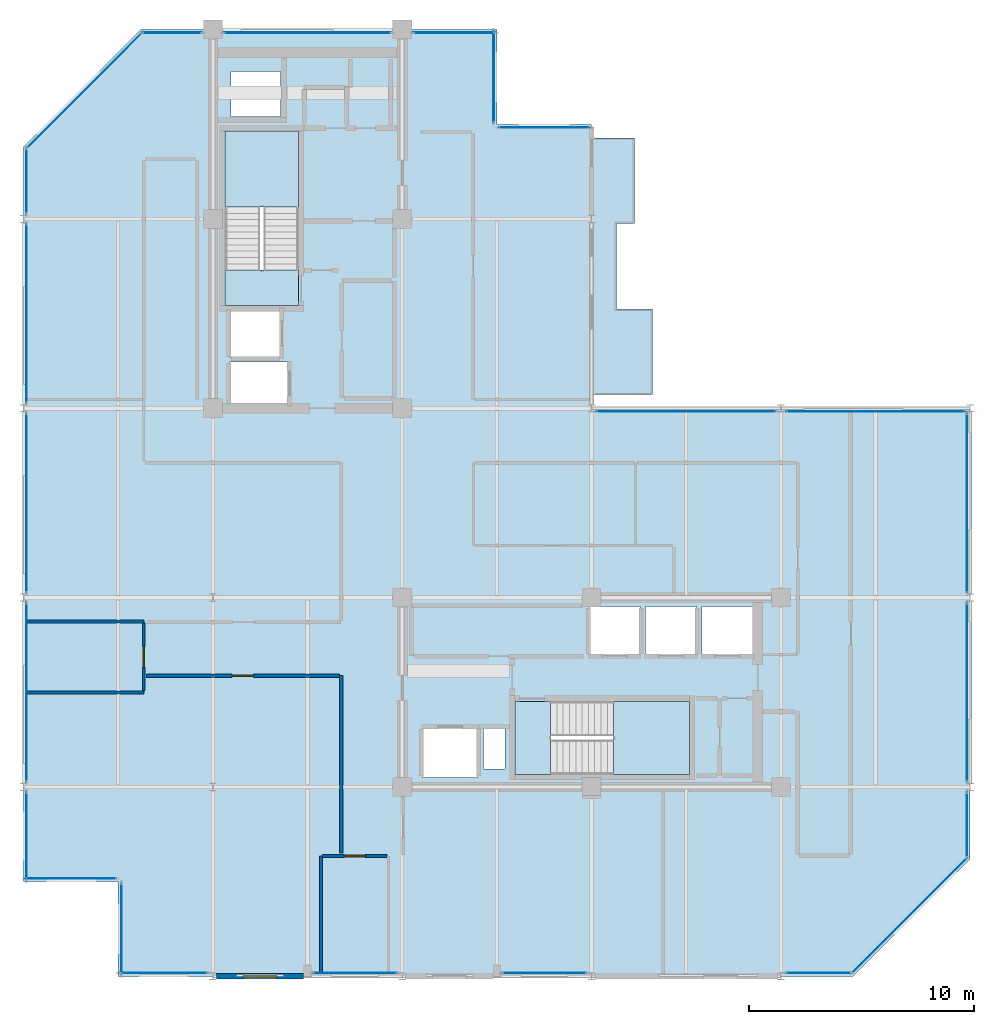
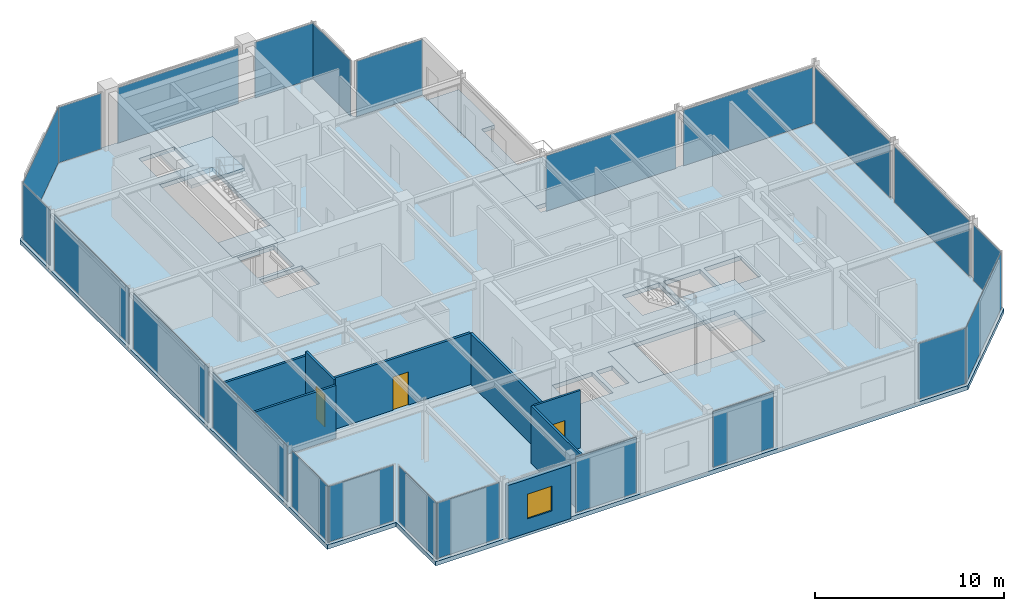
# One storey, part 20 of 26: 23 plates, 8 walls, 6 slabs, 3 doors, 1 window, 4 openings, 25 elements without a shape of their own.
"""IFC4 building model written with IfcOpenShell, lengths in metres."""

import ifcopenshell
import ifcopenshell.guid

model = None  # the IFC model being written
_history = None  # IfcOwnerHistory: only IFC2X3 demands one
_inside = {}  # id of a spatial element -> (the spatial element, [elements in it])
_under = {}  # id of a project, library or spatial element -> (it, [spatial elements below it])
_declared = {}  # id of a project -> (the project, [libraries it declares])
_typed = {}  # id of a type object -> (the type object, [elements of that type])
_made_of = {}  # id of a material, layer set ... -> (it, [elements and type objects made of it])


def new_model(schema):
    """Start an empty IFC model of exactly this schema.

    Asked for "IFC4X3", IfcOpenShell would pick the latest addendum, in which some entities
    have other attributes; the version numbers below select the first issue.
    IFC2X3 requires an IfcOwnerHistory on every rooted entity: one is made here for all.
    """
    global model, _history
    if schema == "IFC4X3":
        model = ifcopenshell.file(schema_version=(4, 3, 0, 0))
    else:
        model = ifcopenshell.file(schema=schema)
    _inside.clear()
    _under.clear()
    _declared.clear()
    _typed.clear()
    _made_of.clear()
    _history = None
    if model.schema == "IFC2X3":
        org = make("IfcOrganization", Name="unknown")
        user = make(
            "IfcPersonAndOrganization",
            ThePerson=make("IfcPerson", FamilyName="unknown"),
            TheOrganization=org,
        )
        app = make(
            "IfcApplication",
            ApplicationDeveloper=org,
            Version="unknown",
            ApplicationFullName="unknown",
            ApplicationIdentifier="unknown",
        )
        _history = make(
            "IfcOwnerHistory",
            OwningUser=user,
            OwningApplication=app,
            ChangeAction="ADDED",
            CreationDate=0,
        )
    return model


def make(cls, **values):
    """One entity of the class cls with the attributes given. An attribute that is None is left unset."""
    return model.create_entity(
        cls, **{name: value for name, value in values.items() if value is not None}
    )


def rooted(cls, **values):
    """An entity with a GlobalId (a new one), such as an element, a storey or a relation."""
    return make(cls, GlobalId=ifcopenshell.guid.new(), OwnerHistory=_history, **values)


def si_unit(unit_type, name, prefix=None):
    """IfcSIUnit, for example si_unit("LENGTHUNIT", "METRE", prefix="MILLI")."""
    return make("IfcSIUnit", UnitType=unit_type, Prefix=prefix, Name=name)


def assignment(units):
    """IfcUnitAssignment: the units of a project."""
    return None if units is None else make("IfcUnitAssignment", Units=units)


def point(xyz):
    """IfcCartesianPoint."""
    return None if xyz is None else make("IfcCartesianPoint", Coordinates=xyz)


def direction(xyz):
    """IfcDirection."""
    return None if xyz is None else make("IfcDirection", DirectionRatios=xyz)


def frame(location, z_axis=None, x_axis=None):
    """IfcAxis2Placement3D, a coordinate frame: its origin and axes. An axis left out is left unset."""
    return make(
        "IfcAxis2Placement3D",
        Location=point(location),
        Axis=direction(z_axis),
        RefDirection=direction(x_axis),
    )


def frame_2d(location, x_axis=None):
    """IfcAxis2Placement2D, a coordinate frame in the plane: its origin and x axis."""
    return make(
        "IfcAxis2Placement2D", Location=point(location), RefDirection=direction(x_axis)
    )


def origin():
    """The frame at (0, 0, 0) with its axes left unset."""
    return frame((0.0, 0.0, 0.0))


def origin_2d():
    """The frame at (0, 0) in the plane with its x axis left unset."""
    return frame_2d((0.0, 0.0))


def place(relative_to, where):
    """IfcLocalPlacement: puts the frame where relative to a parent placement (None: the world)."""
    return make(
        "IfcLocalPlacement", PlacementRelTo=relative_to, RelativePlacement=where
    )


def context(
    kind, dimensions, precision=None, world=None, true_north=None, identifier=None
):
    """IfcGeometricRepresentationContext, for example the 3D "Model" context."""
    return make(
        "IfcGeometricRepresentationContext",
        ContextIdentifier=identifier,
        ContextType=kind,
        CoordinateSpaceDimension=dimensions,
        Precision=precision,
        WorldCoordinateSystem=world,
        TrueNorth=true_north,
    )


def subcontext(parent, identifier, kind, view, scale=None):
    """IfcGeometricRepresentationSubContext, for example "Body" below "Model"."""
    return make(
        "IfcGeometricRepresentationSubContext",
        ContextIdentifier=identifier,
        ContextType=kind,
        ParentContext=parent,
        TargetScale=scale,
        TargetView=view,
    )


def project(units=None, contexts=None):
    """IfcProject with its units and contexts."""
    return rooted(
        "IfcProject",
        Name="project",
        RepresentationContexts=contexts,
        UnitsInContext=assignment(units),
    )


def spatial(cls, under=None, at=None, **own):
    """A site, building, storey or space (cls), placed at a placement, below another one or the project."""
    s = rooted(cls, ObjectPlacement=at, **own)
    if under is not None:
        _under.setdefault(under.id(), (under, []))[1].append(s)
    return s


def polyline(points):
    """IfcPolyline through the points."""
    return make("IfcPolyline", Points=[point(p) for p in points])


def profile(cls, at=None, kind="AREA", **sizes):
    """A parametric profile (cls). Its sizes go by their IFC names, for example OverallWidth=200.0."""
    return make(cls, ProfileType=kind, Position=at, **sizes)


def rectangle(**sizes):
    """IfcRectangleProfileDef."""
    return profile("IfcRectangleProfileDef", **sizes)


def outline(outer, holes=None, kind="AREA"):
    """IfcArbitraryClosedProfileDef: a profile drawn as a closed curve; with holes, ...WithVoids."""
    if holes is None:
        return make("IfcArbitraryClosedProfileDef", ProfileType=kind, OuterCurve=outer)
    return make(
        "IfcArbitraryProfileDefWithVoids",
        ProfileType=kind,
        OuterCurve=outer,
        InnerCurves=holes,
    )


def extrude(swept, where, along, depth):
    """IfcExtrudedAreaSolid: the profile swept, set in the frame where, extruded along a direction by depth."""
    return make(
        "IfcExtrudedAreaSolid",
        SweptArea=swept,
        Position=where,
        ExtrudedDirection=direction(along),
        Depth=depth,
    )


def shape(context_of_items, identifier, shape_type, items):
    """IfcShapeRepresentation: the items that make up one representation, for example the "Body"."""
    return make(
        "IfcShapeRepresentation",
        ContextOfItems=context_of_items,
        RepresentationIdentifier=identifier,
        RepresentationType=shape_type,
        Items=items,
    )


def material(Name=None, Category=None):
    """IfcMaterial."""
    return make("IfcMaterial", Name=Name, Category=Category)


def layer(
    of_material, thickness, ventilated=None, Name=None, Category=None, Priority=None
):
    """IfcMaterialLayer: one layer of a wall or slab, of a material (None: an air gap)."""
    return make(
        "IfcMaterialLayer",
        Material=of_material,
        LayerThickness=thickness,
        IsVentilated=ventilated,
        Name=Name,
        Category=Category,
        Priority=Priority,
    )


def layer_set(layers, Name=None):
    """IfcMaterialLayerSet."""
    return make("IfcMaterialLayerSet", MaterialLayers=layers, LayerSetName=Name)


def made_of(thing, what):
    """Note that an element or type object is made of a material, layer set ...; save() writes the relation."""
    if what is not None:
        _made_of.setdefault(what.id(), (what, []))[1].append(thing)
    return thing


def type_object(cls, material=None, **own):
    """A type object (cls), such as IfcWallType, which elements share."""
    return made_of(rooted(cls, **own), material)


def element(
    cls,
    number,
    at=None,
    inside=None,
    cuts=None,
    type_object=None,
    material=None,
    context=None,
    identifier="Body",
    shape_type=None,
    held_by="IfcProductDefinitionShape",
    body=None,
    shapes=None,
    **own,
):
    """One element of the class cls, such as IfcWall. Its Tag is "e" and its number.

    at: its placement. inside: the storey or other place that contains it. cuts: it is an
    opening in that element (IfcRelVoidsElement). A single representation is given by context,
    identifier, shape_type and body (its items); several are given by shapes. held_by: the class
    of the entity that holds the representations. save() writes the other relations.
    """
    e = rooted(cls, Tag="e%d" % number, ObjectPlacement=at, **own)
    if body is not None:
        shapes = [shape(context, identifier, shape_type, body)]
    if shapes is not None:
        e.Representation = make(held_by, Representations=shapes)
    if inside is not None:
        _inside.setdefault(inside.id(), (inside, []))[1].append(e)
    if cuts is not None:
        rooted(
            "IfcRelVoidsElement", RelatingBuildingElement=cuts, RelatedOpeningElement=e
        )
    if type_object is not None:
        _typed.setdefault(type_object.id(), (type_object, []))[1].append(e)
    return made_of(e, material)


def fill(opening, filler):
    """IfcRelFillsElement: the door or window that sits in an opening."""
    return rooted(
        "IfcRelFillsElement",
        RelatingOpeningElement=opening,
        RelatedBuildingElement=filler,
    )


def aggregate(whole, parts):
    """IfcRelAggregates: a whole, such as a stair, and the parts it consists of."""
    return rooted("IfcRelAggregates", RelatingObject=whole, RelatedObjects=parts)


def save(model, path):
    """Write the relations noted so far, then the file.

    IfcRelAggregates (storeys below a building ...), IfcRelContainedInSpatialStructure (elements
    in a storey), IfcRelDefinesByType, IfcRelAssociatesMaterial and IfcRelDeclares: one each for
    every whole, place, type object, material and project.
    """
    for whole, parts in _under.values():
        aggregate(whole, parts)
    for where, things in _inside.values():
        rooted(
            "IfcRelContainedInSpatialStructure",
            RelatedElements=things,
            RelatingStructure=where,
        )
    for kind, things in _typed.values():
        rooted("IfcRelDefinesByType", RelatedObjects=things, RelatingType=kind)
    for what, things in _made_of.values():
        rooted("IfcRelAssociatesMaterial", RelatedObjects=things, RelatingMaterial=what)
    for by, libraries in _declared.values():
        rooted("IfcRelDeclares", RelatingContext=by, RelatedDefinitions=libraries)
    model.write(path)


model = new_model("IFC4")

# Units and contexts
model_context = context("Model", 3, precision=1e-05, world=origin(), true_north=direction((0.0, 1.0)))
body_context = subcontext(model_context, "Body", "Model", "MODEL_VIEW")
ifc_project = project(units=[si_unit("LENGTHUNIT", "METRE"), si_unit("AREAUNIT", "SQUARE_METRE"), si_unit("VOLUMEUNIT", "CUBIC_METRE"), si_unit("PLANEANGLEUNIT", "RADIAN"), si_unit("MASSUNIT", "GRAM", prefix="KILO")], contexts=[model_context])

# Site, building, storey
site_placement = place(None, origin())
site = spatial("IfcSite", under=ifc_project, at=site_placement, CompositionType="ELEMENT")
building_placement = place(site_placement, origin())
building = spatial("IfcBuilding", under=site, at=building_placement, Name="Nerrivon Quay Data Exchange", CompositionType="ELEMENT")
storey_placement = place(building_placement, frame((0.0, 0.0, 262.199951171875)))
storey = spatial("IfcBuildingStorey", under=building, at=storey_placement, Name="L62", CompositionType="ELEMENT", Elevation=262.199951171875)

# Curtain wall, plate
ifc_material_1 = material(Name="Anodised aluminium 6063-T6", Category="aluminium")
ifc_layer_1 = layer(ifc_material_1, 0.195068359375)
ifc_layer_set_1 = layer_set([ifc_layer_1], Name="Anodised aluminium 6063-T6")
curtain_wall_type = type_object("IfcCurtainWallType", Name="CW-SYS-06", PredefinedType="NOTDEFINED", material=ifc_layer_set_1)
curtain_wall_1_placement = place(storey_placement, origin())
curtain_wall_1 = element("IfcCurtainWall", 1, at=curtain_wall_1_placement, inside=storey, type_object=curtain_wall_type, Name="L62 Unitised Curtain Wall 1", PredefinedType="NOTDEFINED")
ifc_material_2 = material(Name="Double-glazed low-E solar control glass", Category="glass")
ifc_layer_2 = layer(ifc_material_2, 0.028076171875)
ifc_layer_set_2 = layer_set([ifc_layer_2], Name="Double-glazed low-E solar control glass")
plate_type = type_object("IfcPlateType", Name="CWP-GLZ-28", PredefinedType="CURTAIN_PANEL", material=ifc_layer_set_2)
plate_1_placement = place(storey_placement, frame((39.301025390625, 2.698974609375, 0.06494140625), z_axis=(0.0, 0.0, 1.0), x_axis=(-0.707106781187, -0.707106781187, 0.0)))
plate_1 = element("IfcPlate", 2, at=plate_1_placement, type_object=plate_type, Name="CW06 panel 1.1", PredefinedType="CURTAIN_PANEL", context=body_context, shape_type="SweptSolid", body=[
    extrude(rectangle(XDim=7.203857421875, YDim=0.028076171875, at=origin_2d()), origin(), (0.0, 0.0, 1.0), 3.594970703125),
])
aggregate(curtain_wall_1, [plate_1])

curtain_wall_2_placement = place(storey_placement, origin())
curtain_wall_2 = element("IfcCurtainWall", 3, at=curtain_wall_2_placement, inside=storey, type_object=curtain_wall_type, Name="L62 Unitised Curtain Wall 2", PredefinedType="NOTDEFINED")
plate_2_placement = place(storey_placement, frame((35.27783203125, 0.139892578125, 0.06494140625), z_axis=(0.0, 0.0, 1.0), x_axis=(-1.0, 0.0, 0.0)))
plate_2 = element("IfcPlate", 4, at=plate_2_placement, type_object=plate_type, Name="CW06 panel 1.1", PredefinedType="CURTAIN_PANEL", context=body_context, shape_type="SweptSolid", body=[
    extrude(rectangle(XDim=2.89453125, YDim=0.028076171875, at=origin_2d()), origin(), (0.0, 0.0, 1.0), 3.594970703125),
])
aggregate(curtain_wall_2, [plate_2])

curtain_wall_3_placement = place(storey_placement, origin())
curtain_wall_3 = element("IfcCurtainWall", 5, at=curtain_wall_3_placement, inside=storey, type_object=curtain_wall_type, Name="L62 Unitised Curtain Wall 4", PredefinedType="NOTDEFINED")
plate_3_placement = place(storey_placement, frame((23.10986328125, 0.139892578125, 0.06494140625), z_axis=(0.0, 0.0, 1.0), x_axis=(-1.0, 0.0, 0.0)))
plate_3 = element("IfcPlate", 6, at=plate_3_placement, type_object=plate_type, Name="CW06 panel 1.1", PredefinedType="CURTAIN_PANEL", context=body_context, shape_type="SweptSolid", body=[
    extrude(rectangle(XDim=3.719482421875, YDim=0.028076171875, at=origin_2d()), origin(), (0.0, 0.0, 1.0), 3.594970703125),
])
aggregate(curtain_wall_3, [plate_3])

curtain_wall_4_placement = place(storey_placement, origin())
curtain_wall_4 = element("IfcCurtainWall", 7, at=curtain_wall_4_placement, inside=storey, type_object=curtain_wall_type, Name="L62 Unitised Curtain Wall 6", PredefinedType="NOTDEFINED")
plate_4_placement = place(storey_placement, frame((14.709716796875, 0.139892578125, 0.06494140625), z_axis=(0.0, 0.0, 1.0), x_axis=(-1.0, 0.0, 0.0)))
plate_4 = element("IfcPlate", 8, at=plate_4_placement, type_object=plate_type, Name="CW06 panel 1.1", PredefinedType="CURTAIN_PANEL", context=body_context, shape_type="SweptSolid", body=[
    extrude(rectangle(XDim=3.719482421875, YDim=0.028076171875, at=origin_2d()), origin(), (0.0, 0.0, 1.0), 3.594970703125),
])
aggregate(curtain_wall_4, [plate_4])

curtain_wall_5_placement = place(storey_placement, origin())
curtain_wall_5 = element("IfcCurtainWall", 9, at=curtain_wall_5_placement, inside=storey, type_object=curtain_wall_type, Name="L62 Unitised Curtain Wall 8", PredefinedType="NOTDEFINED")
plate_5_placement = place(storey_placement, frame((6.22216796875, 0.139892578125, 0.06494140625), z_axis=(0.0, 0.0, 1.0), x_axis=(-1.0, 0.0, 0.0)))
plate_5 = element("IfcPlate", 10, at=plate_5_placement, type_object=plate_type, Name="CW06 panel 1.1", PredefinedType="CURTAIN_PANEL", context=body_context, shape_type="SweptSolid", body=[
    extrude(rectangle(XDim=3.89453125, YDim=0.028076171875, at=origin_2d()), origin(), (0.0, 0.0, 1.0), 3.594970703125),
])
aggregate(curtain_wall_5, [plate_5])

curtain_wall_6_placement = place(storey_placement, origin())
curtain_wall_6 = element("IfcCurtainWall", 11, at=curtain_wall_6_placement, inside=storey, type_object=curtain_wall_type, Name="L62 Unitised Curtain Wall 9", PredefinedType="NOTDEFINED")
plate_6_placement = place(storey_placement, frame((4.340087890625, 2.10009765625, 0.06494140625), z_axis=(0.0, 0.0, 1.0), x_axis=(0.0, 1.0, 0.0)))
plate_6 = element("IfcPlate", 12, at=plate_6_placement, type_object=plate_type, Name="CW06 panel 1.1", PredefinedType="CURTAIN_PANEL", context=body_context, shape_type="SweptSolid", body=[
    extrude(rectangle(XDim=4.050048828125, YDim=0.028076171875, at=origin_2d()), origin(), (0.0, 0.0, 1.0), 3.594970703125),
])
aggregate(curtain_wall_6, [plate_6])

curtain_wall_7_placement = place(storey_placement, origin())
curtain_wall_7 = element("IfcCurtainWall", 13, at=curtain_wall_7_placement, inside=storey, type_object=curtain_wall_type, Name="L62 Unitised Curtain Wall 10", PredefinedType="NOTDEFINED")
plate_7_placement = place(storey_placement, frame((2.10009765625, 4.340087890625, 0.06494140625), z_axis=(0.0, 0.0, 1.0), x_axis=(-1.0, 0.0, 0.0)))
plate_7 = element("IfcPlate", 14, at=plate_7_placement, type_object=plate_type, Name="CW06 panel 1.1", PredefinedType="CURTAIN_PANEL", context=body_context, shape_type="SweptSolid", body=[
    extrude(rectangle(XDim=4.050048828125, YDim=0.028076171875, at=origin_2d()), origin(), (0.0, 0.0, 1.0), 3.594970703125),
])
aggregate(curtain_wall_7, [plate_7])

curtain_wall_8_placement = place(storey_placement, origin())
curtain_wall_8 = element("IfcCurtainWall", 15, at=curtain_wall_8_placement, inside=storey, type_object=curtain_wall_type, Name="L62 Unitised Curtain Wall 11", PredefinedType="NOTDEFINED")
plate_8_placement = place(storey_placement, frame((0.139892578125, 6.21826171875, 0.06494140625), z_axis=(0.0, 0.0, 1.0), x_axis=(0.0, 1.0, 0.0)))
plate_8 = element("IfcPlate", 16, at=plate_8_placement, type_object=plate_type, Name="CW06 panel 1.1", PredefinedType="CURTAIN_PANEL", context=body_context, shape_type="SweptSolid", body=[
    extrude(rectangle(XDim=3.886474609375, YDim=0.028076171875, at=origin_2d()), origin(), (0.0, 0.0, 1.0), 3.594970703125),
])
aggregate(curtain_wall_8, [plate_8])

curtain_wall_9_placement = place(storey_placement, origin())
curtain_wall_9 = element("IfcCurtainWall", 17, at=curtain_wall_9_placement, inside=storey, type_object=curtain_wall_type, Name="L62 Unitised Curtain Wall 12", PredefinedType="NOTDEFINED")
plate_9_placement = place(storey_placement, frame((0.139892578125, 12.60009765625, 0.06494140625), z_axis=(0.0, 0.0, 1.0), x_axis=(0.0, 1.0, 0.0)))
plate_9 = element("IfcPlate", 18, at=plate_9_placement, type_object=plate_type, Name="CW06 panel 1.1", PredefinedType="CURTAIN_PANEL", context=body_context, shape_type="SweptSolid", body=[
    extrude(rectangle(XDim=7.923095703125, YDim=0.028076171875, at=origin_2d()), origin(), (0.0, 0.0, 1.0), 3.594970703125),
])
aggregate(curtain_wall_9, [plate_9])

curtain_wall_10_placement = place(storey_placement, origin())
curtain_wall_10 = element("IfcCurtainWall", 19, at=curtain_wall_10_placement, inside=storey, type_object=curtain_wall_type, Name="L62 Unitised Curtain Wall 13", PredefinedType="NOTDEFINED")
plate_10_placement = place(storey_placement, frame((0.139892578125, 21.0, 0.06494140625), z_axis=(0.0, 0.0, 1.0), x_axis=(0.0, 1.0, 0.0)))
plate_10 = element("IfcPlate", 20, at=plate_10_placement, type_object=plate_type, Name="CW06 panel 1.1", PredefinedType="CURTAIN_PANEL", context=body_context, shape_type="SweptSolid", body=[
    extrude(rectangle(XDim=7.923095703125, YDim=0.028076171875, at=origin_2d()), origin(), (0.0, 0.0, 1.0), 3.594970703125),
])
aggregate(curtain_wall_10, [plate_10])

curtain_wall_11_placement = place(storey_placement, origin())
curtain_wall_11 = element("IfcCurtainWall", 21, at=curtain_wall_11_placement, inside=storey, type_object=curtain_wall_type, Name="L62 Unitised Curtain Wall 14", PredefinedType="NOTDEFINED")
plate_11_placement = place(storey_placement, frame((0.139892578125, 29.39990234375, 0.06494140625), z_axis=(0.0, 0.0, 1.0), x_axis=(0.0, 1.0, 0.0)))
plate_11 = element("IfcPlate", 22, at=plate_11_placement, type_object=plate_type, Name="CW06 panel 1.1", PredefinedType="CURTAIN_PANEL", context=body_context, shape_type="SweptSolid", body=[
    extrude(rectangle(XDim=7.923095703125, YDim=0.028076171875, at=origin_2d()), origin(), (0.0, 0.0, 1.0), 3.594970703125),
])
aggregate(curtain_wall_11, [plate_11])

curtain_wall_12_placement = place(storey_placement, origin())
curtain_wall_12 = element("IfcCurtainWall", 23, at=curtain_wall_12_placement, inside=storey, type_object=curtain_wall_type, Name="L62 Unitised Curtain Wall 15", PredefinedType="NOTDEFINED")
plate_12_placement = place(storey_placement, frame((0.139892578125, 35.28173828125, 0.06494140625), z_axis=(0.0, 0.0, 1.0), x_axis=(0.0, 1.0, 0.0)))
plate_12 = element("IfcPlate", 24, at=plate_12_placement, type_object=plate_type, Name="CW06 panel 1.1", PredefinedType="CURTAIN_PANEL", context=body_context, shape_type="SweptSolid", body=[
    extrude(rectangle(XDim=2.886474609375, YDim=0.028076171875, at=origin_2d()), origin(), (0.0, 0.0, 1.0), 3.594970703125),
])
aggregate(curtain_wall_12, [plate_12])

curtain_wall_13_placement = place(storey_placement, origin())
curtain_wall_13 = element("IfcCurtainWall", 25, at=curtain_wall_13_placement, inside=storey, type_object=curtain_wall_type, Name="L62 Unitised Curtain Wall 16", PredefinedType="NOTDEFINED")
plate_13_placement = place(storey_placement, frame((2.698974609375, 39.301025390625, 0.06494140625), z_axis=(0.0, 0.0, 1.0), x_axis=(0.707106781187, 0.707106781187, 0.0)))
plate_13 = element("IfcPlate", 26, at=plate_13_placement, type_object=plate_type, Name="CW06 panel 1.1", PredefinedType="CURTAIN_PANEL", context=body_context, shape_type="SweptSolid", body=[
    extrude(rectangle(XDim=7.203857421875, YDim=0.028076171875, at=origin_2d()), origin(), (0.0, 0.0, 1.0), 3.594970703125),
])
aggregate(curtain_wall_13, [plate_13])

curtain_wall_14_placement = place(storey_placement, origin())
curtain_wall_14 = element("IfcCurtainWall", 27, at=curtain_wall_14_placement, inside=storey, type_object=curtain_wall_type, Name="L62 Unitised Curtain Wall 17", PredefinedType="NOTDEFINED")
plate_14_placement = place(storey_placement, frame((6.58740234375, 41.860107421875, 0.06494140625), z_axis=(0.0, 0.0, 1.0), x_axis=(1.0, 0.0, 0.0)))
plate_14 = element("IfcPlate", 28, at=plate_14_placement, type_object=plate_type, Name="CW06 panel 1.1", PredefinedType="CURTAIN_PANEL", context=body_context, shape_type="SweptSolid", body=[
    extrude(rectangle(XDim=2.625, YDim=0.028076171875, at=origin_2d()), origin(), (0.0, 0.0, 1.0), 3.594970703125),
])
aggregate(curtain_wall_14, [plate_14])

curtain_wall_15_placement = place(storey_placement, origin())
curtain_wall_15 = element("IfcCurtainWall", 29, at=curtain_wall_15_placement, inside=storey, type_object=curtain_wall_type, Name="L62 Unitised Curtain Wall 18", PredefinedType="NOTDEFINED")
plate_15_placement = place(storey_placement, frame((12.60009765625, 41.860107421875, 0.06494140625), z_axis=(0.0, 0.0, 1.0), x_axis=(1.0, 0.0, 0.0)))
plate_15 = element("IfcPlate", 30, at=plate_15_placement, type_object=plate_type, Name="CW06 panel 1.1", PredefinedType="CURTAIN_PANEL", context=body_context, shape_type="SweptSolid", body=[
    extrude(rectangle(XDim=7.39990234375, YDim=0.028076171875, at=origin_2d()), origin(), (0.0, 0.0, 1.0), 3.594970703125),
])
aggregate(curtain_wall_15, [plate_15])

curtain_wall_16_placement = place(storey_placement, origin())
curtain_wall_16 = element("IfcCurtainWall", 31, at=curtain_wall_16_placement, inside=storey, type_object=curtain_wall_type, Name="L62 Unitised Curtain Wall 19", PredefinedType="NOTDEFINED")
plate_16_placement = place(storey_placement, frame((19.112548828125, 41.860107421875, 0.06494140625), z_axis=(0.0, 0.0, 1.0), x_axis=(1.0, 0.0, 0.0)))
plate_16 = element("IfcPlate", 32, at=plate_16_placement, type_object=plate_type, Name="CW06 panel 1.1", PredefinedType="CURTAIN_PANEL", context=body_context, shape_type="SweptSolid", body=[
    extrude(rectangle(XDim=3.625, YDim=0.028076171875, at=origin_2d()), origin(), (0.0, 0.0, 1.0), 3.594970703125),
])
aggregate(curtain_wall_16, [plate_16])

curtain_wall_17_placement = place(storey_placement, origin())
curtain_wall_17 = element("IfcCurtainWall", 33, at=curtain_wall_17_placement, inside=storey, type_object=curtain_wall_type, Name="L62 Unitised Curtain Wall 20", PredefinedType="NOTDEFINED")
plate_17_placement = place(storey_placement, frame((20.860107421875, 39.89990234375, 0.06494140625), z_axis=(0.0, 0.0, 1.0), x_axis=(0.0, -1.0, 0.0)))
plate_17 = element("IfcPlate", 34, at=plate_17_placement, type_object=plate_type, Name="CW06 panel 1.1", PredefinedType="CURTAIN_PANEL", context=body_context, shape_type="SweptSolid", body=[
    extrude(rectangle(XDim=4.050048828125, YDim=0.028076171875, at=origin_2d()), origin(), (0.0, 0.0, 1.0), 3.594970703125),
])
aggregate(curtain_wall_17, [plate_17])

curtain_wall_18_placement = place(storey_placement, origin())
curtain_wall_18 = element("IfcCurtainWall", 35, at=curtain_wall_18_placement, inside=storey, type_object=curtain_wall_type, Name="L62 Unitised Curtain Wall 21", PredefinedType="NOTDEFINED")
plate_18_placement = place(storey_placement, frame((23.10009765625, 37.659912109375, 0.06494140625), z_axis=(0.0, 0.0, 1.0), x_axis=(1.0, 0.0, 0.0)))
plate_18 = element("IfcPlate", 36, at=plate_18_placement, type_object=plate_type, Name="CW06 panel 1.1", PredefinedType="CURTAIN_PANEL", context=body_context, shape_type="SweptSolid", body=[
    extrude(rectangle(XDim=4.050048828125, YDim=0.028076171875, at=origin_2d()), origin(), (0.0, 0.0, 1.0), 3.594970703125),
])
aggregate(curtain_wall_18, [plate_18])

curtain_wall_19_placement = place(storey_placement, origin())
curtain_wall_19 = element("IfcCurtainWall", 37, at=curtain_wall_19_placement, inside=storey, type_object=curtain_wall_type, Name="L62 Unitised Curtain Wall 24", PredefinedType="NOTDEFINED")
plate_19_placement = place(storey_placement, frame((29.39990234375, 25.06005859375, 0.06494140625), z_axis=(0.0, 0.0, 1.0), x_axis=(1.0, 0.0, 0.0)))
plate_19 = element("IfcPlate", 38, at=plate_19_placement, type_object=plate_type, Name="CW06 panel 1.1", PredefinedType="CURTAIN_PANEL", context=body_context, shape_type="SweptSolid", body=[
    extrude(rectangle(XDim=7.93896484375, YDim=0.028076171875, at=origin_2d()), origin(), (0.0, 0.0, 1.0), 3.594970703125),
])
aggregate(curtain_wall_19, [plate_19])

curtain_wall_20_placement = place(storey_placement, origin())
curtain_wall_20 = element("IfcCurtainWall", 39, at=curtain_wall_20_placement, inside=storey, type_object=curtain_wall_type, Name="L62 Unitised Curtain Wall 25", PredefinedType="NOTDEFINED")
plate_20_placement = place(storey_placement, frame((37.800048828125, 25.06005859375, 0.06494140625), z_axis=(0.0, 0.0, 1.0), x_axis=(1.0, 0.0, 0.0)))
plate_20 = element("IfcPlate", 40, at=plate_20_placement, type_object=plate_type, Name="CW06 panel 1.1", PredefinedType="CURTAIN_PANEL", context=body_context, shape_type="SweptSolid", body=[
    extrude(rectangle(XDim=7.93896484375, YDim=0.028076171875, at=origin_2d()), origin(), (0.0, 0.0, 1.0), 3.594970703125),
])
aggregate(curtain_wall_20, [plate_20])

curtain_wall_21_placement = place(storey_placement, origin())
curtain_wall_21 = element("IfcCurtainWall", 41, at=curtain_wall_21_placement, inside=storey, type_object=curtain_wall_type, Name="L62 Unitised Curtain Wall 26", PredefinedType="NOTDEFINED")
plate_21_placement = place(storey_placement, frame((41.860107421875, 21.0, 0.06494140625), z_axis=(0.0, 0.0, 1.0), x_axis=(0.0, -1.0, 0.0)))
plate_21 = element("IfcPlate", 42, at=plate_21_placement, type_object=plate_type, Name="CW06 panel 1.1", PredefinedType="CURTAIN_PANEL", context=body_context, shape_type="SweptSolid", body=[
    extrude(rectangle(XDim=7.923095703125, YDim=0.028076171875, at=origin_2d()), origin(), (0.0, 0.0, 1.0), 3.594970703125),
])
aggregate(curtain_wall_21, [plate_21])

curtain_wall_22_placement = place(storey_placement, origin())
curtain_wall_22 = element("IfcCurtainWall", 43, at=curtain_wall_22_placement, inside=storey, type_object=curtain_wall_type, Name="L62 Unitised Curtain Wall 27", PredefinedType="NOTDEFINED")
plate_22_placement = place(storey_placement, frame((41.860107421875, 12.60009765625, 0.06494140625), z_axis=(0.0, 0.0, 1.0), x_axis=(0.0, -1.0, 0.0)))
plate_22 = element("IfcPlate", 44, at=plate_22_placement, type_object=plate_type, Name="CW06 panel 1.1", PredefinedType="CURTAIN_PANEL", context=body_context, shape_type="SweptSolid", body=[
    extrude(rectangle(XDim=7.923095703125, YDim=0.028076171875, at=origin_2d()), origin(), (0.0, 0.0, 1.0), 3.594970703125),
])
aggregate(curtain_wall_22, [plate_22])

curtain_wall_23_placement = place(storey_placement, origin())
curtain_wall_23 = element("IfcCurtainWall", 45, at=curtain_wall_23_placement, inside=storey, type_object=curtain_wall_type, Name="L62 Unitised Curtain Wall 28", PredefinedType="NOTDEFINED")
plate_23_placement = place(storey_placement, frame((41.860107421875, 6.71826171875, 0.06494140625), z_axis=(0.0, 0.0, 1.0), x_axis=(0.0, -1.0, 0.0)))
plate_23 = element("IfcPlate", 46, at=plate_23_placement, type_object=plate_type, Name="CW06 panel 1.1", PredefinedType="CURTAIN_PANEL", context=body_context, shape_type="SweptSolid", body=[
    extrude(rectangle(XDim=2.886474609375, YDim=0.028076171875, at=origin_2d()), origin(), (0.0, 0.0, 1.0), 3.594970703125),
])
aggregate(curtain_wall_23, [plate_23])

# Slab
ifc_material_3 = material(Name="Precast white architectural concrete N50 (50 MPa)", Category="concrete")
ifc_layer_3 = layer(ifc_material_3, 0.25)
ifc_layer_set_3 = layer_set([ifc_layer_3], Name="Precast white architectural concrete N50 (50 MPa)")
slab_type_1 = type_object("IfcSlabType", Name="SLB-BAL-250", PredefinedType="FLOOR", material=ifc_layer_set_3)
slab_1_placement = place(storey_placement, frame((0.0, 0.0, -0.25)))
element("IfcSlab", 47, at=slab_1_placement, inside=storey, type_object=slab_type_1, Name="L62 Waterfront Subtropical Verandah", PredefinedType="FLOOR", context=body_context, shape_type="SweptSolid", body=[
    extrude(outline(polyline([(26.300048828125, 29.60009765625), (26.300048828125, 33.39990234375), (27.10009765625, 33.39990234375), (27.10009765625, 37.199951171875), (25.199951171875, 37.199951171875), (25.199951171875, 33.39990234375), (25.199951171875, 29.60009765625), (25.199951171875, 25.800048828125), (27.89990234375, 25.800048828125), (27.89990234375, 29.60009765625), (26.300048828125, 29.60009765625)])), origin(), (0.0, 0.0, 1.0), 0.25),
])

# Stair, slab
ifc_material_4 = material(Name="Concrete N50 (50 MPa)", Category="concrete")
stair_type = type_object("IfcStairType", Name="STAIR-DOG-40", PredefinedType="HALF_TURN_STAIR", material=ifc_material_4)
stair_1_placement = place(storey_placement, origin())
stair_1 = element("IfcStair", 48, at=stair_1_placement, inside=storey, type_object=stair_type, Name="L62 West Core Fire Stair ST01", PredefinedType="HALF_TURN_STAIR")
ifc_layer_4 = layer(ifc_material_4, 0.199951171875)
ifc_layer_set_4 = layer_set([ifc_layer_4], Name="Concrete N50 (50 MPa)")
slab_type_2 = type_object("IfcSlabType", Name="SLB-LAND-200", PredefinedType="LANDING", material=ifc_layer_set_4)
slab_2_placement = place(storey_placement, frame((0.0, 0.0, 1.800048828125)))
slab_2 = element("IfcSlab", 49, at=slab_2_placement, type_object=slab_type_2, Name="ST01 landing 1", PredefinedType="LANDING", context=body_context, shape_type="SweptSolid", body=[
    extrude(outline(polyline([(12.199951171875, 34.1298828125), (12.199951171875, 37.5), (8.949951171875, 37.5), (8.949951171875, 34.1298828125), (12.199951171875, 34.1298828125)])), origin(), (0.0, 0.0, 1.0), 0.199951171875),
])
aggregate(stair_1, [slab_2])

# Slab
slab_3_placement = place(storey_placement, frame((0.0, 0.0, -0.199951171875)))
element("IfcSlab", 50, at=slab_3_placement, inside=storey, type_object=slab_type_2, Name="L62 ST01 floor landing", PredefinedType="LANDING", context=body_context, shape_type="SweptSolid", body=[
    extrude(outline(polyline([(12.199951171875, 29.75), (12.199951171875, 31.330078125), (8.949951171875, 31.330078125), (8.949951171875, 29.75), (12.199951171875, 29.75)])), origin(), (0.0, 0.0, 1.0), 0.199951171875),
])

# Stair, slab
stair_2_placement = place(storey_placement, origin())
stair_2 = element("IfcStair", 51, at=stair_2_placement, inside=storey, type_object=stair_type, Name="L62 East Core Fire Stair ST02", PredefinedType="HALF_TURN_STAIR")
slab_4_placement = place(storey_placement, frame((0.0, 0.0, 1.800048828125)))
slab_4 = element("IfcSlab", 52, at=slab_4_placement, type_object=slab_type_2, Name="ST02 landing 1", PredefinedType="LANDING", context=body_context, shape_type="SweptSolid", body=[
    extrude(outline(polyline([(26.179931640625, 8.949951171875), (29.550048828125, 8.949951171875), (29.550048828125, 12.199951171875), (26.179931640625, 12.199951171875), (26.179931640625, 8.949951171875)])), origin(), (0.0, 0.0, 1.0), 0.199951171875),
])
aggregate(stair_2, [slab_4])

# Slabs
slab_5_placement = place(storey_placement, frame((0.0, 0.0, -0.199951171875)))
element("IfcSlab", 53, at=slab_5_placement, inside=storey, type_object=slab_type_2, Name="L62 ST02 floor landing", PredefinedType="LANDING", context=body_context, shape_type="SweptSolid", body=[
    extrude(outline(polyline([(21.800048828125, 8.949951171875), (23.3798828125, 8.949951171875), (23.3798828125, 12.199951171875), (21.800048828125, 12.199951171875), (21.800048828125, 8.949951171875)])), origin(), (0.0, 0.0, 1.0), 0.199951171875),
])
ifc_layer_5 = layer(ifc_material_4, 0.27490234375)
ifc_layer_set_5 = layer_set([ifc_layer_5], Name="Concrete N50 (50 MPa)")
slab_type_3 = type_object("IfcSlabType", Name="SLB-TOW-275", PredefinedType="FLOOR", material=ifc_layer_set_5)
slab_6_placement = place(storey_placement, frame((0.0, 0.0, -0.27490234375)))
element("IfcSlab", 54, at=slab_6_placement, inside=storey, type_object=slab_type_3, Name="L62 Primary Structural Slab", PredefinedType="FLOOR", context=body_context, shape_type="SweptSolid", body=[
    extrude(outline(polyline([(42.0, 25.199951171875), (25.199951171875, 25.199951171875), (25.199951171875, 37.800048828125), (21.0, 37.800048828125), (21.0, 42.0), (5.199951171875, 42.0), (0.0, 36.800048828125), (0.0, 4.199951171875), (4.199951171875, 4.199951171875), (4.199951171875, 0.0), (36.800048828125, 0.0), (42.0, 5.199951171875), (42.0, 25.199951171875)]), holes=[polyline([(8.949951171875, 29.75), (8.949951171875, 37.5), (12.199951171875, 37.5), (12.199951171875, 29.75), (8.949951171875, 29.75)]), polyline([(21.800048828125, 12.199951171875), (29.550048828125, 12.199951171875), (29.550048828125, 8.949951171875), (21.800048828125, 8.949951171875), (21.800048828125, 12.199951171875)]), polyline([(30.10009765625, 14.25), (30.10009765625, 16.39990234375), (32.35009765625, 16.39990234375), (32.35009765625, 14.25), (30.10009765625, 14.25)]), polyline([(27.60009765625, 14.25), (27.60009765625, 16.39990234375), (29.85009765625, 16.39990234375), (29.85009765625, 14.25), (27.60009765625, 14.25)]), polyline([(25.10009765625, 14.25), (25.10009765625, 16.39990234375), (27.35009765625, 16.39990234375), (27.35009765625, 14.25), (25.10009765625, 14.25)]), polyline([(20.39990234375, 9.199951171875), (20.39990234375, 11.0), (21.35009765625, 11.0), (21.35009765625, 9.199951171875), (20.39990234375, 9.199951171875)]), polyline([(17.699951171875, 8.830078125), (17.699951171875, 11.030029296875), (20.14990234375, 11.030029296875), (20.14990234375, 8.830078125), (17.699951171875, 8.830078125)]), polyline([(9.14990234375, 25.35009765625), (9.14990234375, 27.25), (11.75, 27.25), (11.75, 25.35009765625), (9.14990234375, 25.35009765625)]), polyline([(9.14990234375, 27.449951171875), (9.14990234375, 29.60009765625), (11.39990234375, 29.60009765625), (11.39990234375, 27.449951171875), (9.14990234375, 27.449951171875)]), polyline([(9.199951171875, 38.14990234375), (9.199951171875, 40.14990234375), (11.39990234375, 40.14990234375), (11.39990234375, 38.14990234375), (9.199951171875, 38.14990234375)])]), origin(), (0.0, 0.0, 1.0), 0.27490234375),
])

# Wall, opening, window
ifc_material_5 = material(Name="Architectural terracotta precast concrete N50 (50 MPa)", Category="masonry")
ifc_layer_6 = layer(ifc_material_5, 0.239990234375)
ifc_layer_set_6 = layer_set([ifc_layer_6], Name="Architectural terracotta precast concrete N50 (50 MPa)")
wall_type_1 = type_object("IfcWallType", Name="EW-PREC-240", PredefinedType="STANDARD", material=ifc_layer_set_6)
wall_1_placement = place(storey_placement, frame((12.425048828125, 0.0, 0.0), z_axis=(0.0, 0.0, 1.0), x_axis=(-1.0, 0.0, 0.0)))
wall_1 = element("IfcWall", 55, at=wall_1_placement, inside=storey, type_object=wall_type_1, Name="L62 Podium Precast Spandrel Wall 7", PredefinedType="STANDARD", context=body_context, shape_type="SweptSolid", body=[
    extrude(rectangle(XDim=3.86962890625, YDim=0.239990234375, at=frame_2d((1.934814453125, 0.0))), origin(), (0.0, 0.0, 1.0), 3.47509765625),
])
opening_1_placement = place(wall_1_placement, frame((1.184814453125, 0.0, 0.89990234375)))
opening_1 = element("IfcOpeningElement", 56, at=opening_1_placement, cuts=wall_1, Name="Opening WN4", PredefinedType="OPENING", context=body_context, shape_type="SweptSolid", body=[
    extrude(rectangle(XDim=1.5, YDim=1.60009765625, at=frame_2d((0.75, 0.800048828125))), frame((0.0, 0.1298828125, 0.0), z_axis=(0.0, -1.0, 0.0), x_axis=(1.0, 0.0, 0.0)), (0.0, 0.0, 1.0), 0.260009765625),
])
window_type = type_object("IfcWindowType", Name="WIN-W4-1500x1600", PartitioningType="SINGLE_PANEL", PredefinedType="WINDOW", material=ifc_material_2)
window_placement = place(opening_1_placement, origin())
window = element("IfcWindow", 57, at=window_placement, inside=storey, type_object=window_type, Name="L62 Solar Facade Window 7", OverallHeight=1.60009765625, OverallWidth=1.5, PartitioningType="SINGLE_PANEL", PredefinedType="WINDOW", context=body_context, shape_type="SweptSolid", body=[
    extrude(rectangle(XDim=1.5, YDim=1.60009765625, at=frame_2d((0.75, 0.800048828125))), frame((0.0, 0.030029296875, 0.0), z_axis=(0.0, -1.0, 0.0), x_axis=(1.0, 0.0, 0.0)), (0.0, 0.0, 1.0), 0.06005859375),
])
fill(opening_1, window)

# Wall, opening, door
ifc_material_6 = material(Name="Gypsum plasterboard on cold-formed framing", Category="gypsum")
ifc_layer_7 = layer(ifc_material_6, 0.1201171875)
ifc_layer_set_7 = layer_set([ifc_layer_7], Name="Gypsum plasterboard on cold-formed framing")
wall_type_2 = type_object("IfcWallType", Name="WALL-PT-120", PredefinedType="PARTITIONING", material=ifc_layer_set_7)
wall_2_placement = place(storey_placement, frame((5.340087890625, 12.67138671875, 0.0), z_axis=(0.0, 0.0, 1.0), x_axis=(0.0, 1.0, 0.0)))
wall_2 = element("IfcWall", 58, at=wall_2_placement, inside=storey, type_object=wall_type_2, Name="L62 Partition Accessible Toilet", PredefinedType="PARTITIONING", context=body_context, shape_type="SweptSolid", body=[
    extrude(rectangle(XDim=3.007080078125, YDim=0.1201171875, at=frame_2d((1.50341796875, 0.0))), origin(), (0.0, 0.0, 1.0), 3.72509765625),
])
opening_2_placement = place(wall_2_placement, frame((1.04345703125, 0.0, 0.0)))
opening_2 = element("IfcOpeningElement", 59, at=opening_2_placement, cuts=wall_2, Name="Opening D-WC", PredefinedType="OPENING", context=body_context, shape_type="SweptSolid", body=[
    extrude(rectangle(XDim=0.919921875, YDim=2.10009765625, at=frame_2d((0.4599609375, 1.050048828125))), frame((0.0, 0.070068359375, 0.0), z_axis=(0.0, -1.0, 0.0), x_axis=(1.0, 0.0, 0.0)), (0.0, 0.0, 1.0), 0.14013671875),
])
ifc_material_7 = material(Name="Engineered hardwood timber", Category="wood")
door_type_1 = type_object("IfcDoorType", Name="DR-WC-920", OperationType="NOTDEFINED", PredefinedType="DOOR", material=ifc_material_7)
door_1_placement = place(opening_2_placement, origin())
door_1 = element("IfcDoor", 60, at=door_1_placement, inside=storey, type_object=door_type_1, Name="L62 Door Accessible Toilet", OperationType="SINGLE_SWING_RIGHT", OverallHeight=2.10009765625, OverallWidth=0.919921875, PredefinedType="DOOR", context=body_context, shape_type="SweptSolid", body=[
    extrude(rectangle(XDim=0.919921875, YDim=2.10009765625, at=frame_2d((0.4599609375, 1.050048828125))), frame((0.0, 0.02490234375, 0.0), z_axis=(0.0, -1.0, 0.0), x_axis=(1.0, 0.0, 0.0)), (0.0, 0.0, 1.0), 0.050048828125),
])
fill(opening_2, door_1)

wall_3_placement = place(storey_placement, frame((16.12841796875, 5.340087890625, 0.0), z_axis=(0.0, 0.0, 1.0), x_axis=(-1.0, 0.0, 0.0)))
wall_3 = element("IfcWall", 61, at=wall_3_placement, inside=storey, type_object=wall_type_2, Name="L62 Partition Public Washrooms", PredefinedType="PARTITIONING", context=body_context, shape_type="SweptSolid", body=[
    extrude(rectangle(XDim=2.85693359375, YDim=0.1201171875, at=frame_2d((1.428466796875, 0.0))), origin(), (0.0, 0.0, 1.0), 3.72509765625),
])
opening_3_placement = place(wall_3_placement, frame((0.968505859375, 0.0, 0.0)))
opening_3 = element("IfcOpeningElement", 62, at=opening_3_placement, cuts=wall_3, Name="Opening D-WC", PredefinedType="OPENING", context=body_context, shape_type="SweptSolid", body=[
    extrude(rectangle(XDim=0.919921875, YDim=2.10009765625, at=frame_2d((0.4599609375, 1.050048828125))), frame((0.0, 0.070068359375, 0.0), z_axis=(0.0, -1.0, 0.0), x_axis=(1.0, 0.0, 0.0)), (0.0, 0.0, 1.0), 0.14013671875),
])
door_2_placement = place(opening_3_placement, origin())
door_2 = element("IfcDoor", 63, at=door_2_placement, inside=storey, type_object=door_type_1, Name="L62 Door Public Washrooms", OperationType="SINGLE_SWING_LEFT", OverallHeight=2.10009765625, OverallWidth=0.919921875, PredefinedType="DOOR", context=body_context, shape_type="SweptSolid", body=[
    extrude(rectangle(XDim=0.919921875, YDim=2.10009765625, at=frame_2d((0.4599609375, 1.050048828125))), frame((0.0, 0.02490234375, 0.0), z_axis=(0.0, -1.0, 0.0), x_axis=(1.0, 0.0, 0.0)), (0.0, 0.0, 1.0), 0.050048828125),
])
fill(opening_3, door_2)

# Walls
ifc_layer_8 = layer(ifc_material_6, 0.135009765625)
ifc_layer_set_8 = layer_set([ifc_layer_8], Name="Gypsum plasterboard on cold-formed framing")
wall_type_3 = type_object("IfcWallType", Name="WALL-PT-135", PredefinedType="PARTITIONING", material=ifc_layer_set_8)
for number, where, z_axis, x_axis, name in (
    (64, (5.340087890625, 15.75, 0.0), (0.0, 0.0, 1.0), (-1.0, 0.0, 0.0), "L62 Partition Accessible Toilet"),
    (65, (0.1689453125, 12.60009765625, 0.0), (0.0, 0.0, 1.0), (1.0, 0.0, 0.0), "L62 Partition Accessible Toilet"),
):
    element("IfcWall", number, at=place(storey_placement, frame(where, z_axis=z_axis, x_axis=x_axis)), inside=storey, type_object=wall_type_3, Name=name, PredefinedType="PARTITIONING", context=body_context, shape_type="SweptSolid", body=[
        extrude(rectangle(XDim=5.171142578125, YDim=0.135009765625, at=frame_2d((2.58544921875, 0.0))), origin(), (0.0, 0.0, 1.0), 3.421142578125),
    ])
wall_4_placement = place(storey_placement, frame((13.199951171875, 5.340087890625, 0.0), z_axis=(0.0, 0.0, 1.0), x_axis=(0.0, -1.0, 0.0)))
element("IfcWall", 66, at=wall_4_placement, inside=storey, type_object=wall_type_3, Name="L62 Partition Public Washrooms", PredefinedType="PARTITIONING", context=body_context, shape_type="SweptSolid", body=[
    extrude(rectangle(XDim=5.171142578125, YDim=0.135009765625, at=frame_2d((2.58544921875, 0.0))), origin(), (0.0, 0.0, 1.0), 3.72509765625),
])
ifc_layer_9 = layer(ifc_material_6, 0.14990234375)
ifc_layer_set_9 = layer_set([ifc_layer_9], Name="Gypsum plasterboard on cold-formed framing")
wall_type_4 = type_object("IfcWallType", Name="WALL-PT-150", PredefinedType="PARTITIONING", material=ifc_layer_set_9)
wall_5_placement = place(storey_placement, frame((14.090087890625, 5.4599609375, 0.0), z_axis=(0.0, 0.0, 1.0), x_axis=(0.0, 1.0, 0.0)))
element("IfcWall", 67, at=wall_5_placement, inside=storey, type_object=wall_type_4, Name="L62 Partition Peering Day Lounge", PredefinedType="PARTITIONING", context=body_context, shape_type="SweptSolid", body=[
    extrude(rectangle(XDim=7.880126953125, YDim=0.14990234375, at=frame_2d((3.93994140625, 0.0))), origin(), (0.0, 0.0, 1.0), 3.27099609375),
])

# Wall, opening, door
wall_6_placement = place(storey_placement, frame((14.010986328125, 13.340087890625, 0.0), z_axis=(0.0, 0.0, 1.0), x_axis=(-1.0, 0.0, 0.0)))
wall_6 = element("IfcWall", 68, at=wall_6_placement, inside=storey, type_object=wall_type_4, Name="L62 Partition Peering Day Lounge", PredefinedType="PARTITIONING", context=body_context, shape_type="SweptSolid", body=[
    extrude(rectangle(XDim=8.551025390625, YDim=0.14990234375, at=frame_2d((4.275390625, 0.0))), origin(), (0.0, 0.0, 1.0), 3.319091796875),
])
opening_4_placement = place(wall_6_placement, frame((3.800537109375, 0.0, 0.0)))
opening_4 = element("IfcOpeningElement", 69, at=opening_4_placement, cuts=wall_6, Name="Opening D-01", PredefinedType="OPENING", context=body_context, shape_type="SweptSolid", body=[
    extrude(rectangle(XDim=0.949951171875, YDim=2.14990234375, at=frame_2d((0.47509765625, 1.074951171875))), frame((0.0, 0.0849609375, 0.0), z_axis=(0.0, -1.0, 0.0), x_axis=(1.0, 0.0, 0.0)), (0.0, 0.0, 1.0), 0.169921875),
])
door_type_2 = type_object("IfcDoorType", Name="DR-INT-950", OperationType="NOTDEFINED", PredefinedType="DOOR", material=ifc_material_7)
door_3_placement = place(opening_4_placement, origin())
door_3 = element("IfcDoor", 70, at=door_3_placement, inside=storey, type_object=door_type_2, Name="L62 Door Peering Day Lounge", OperationType="SINGLE_SWING_RIGHT", OverallHeight=2.14990234375, OverallWidth=0.949951171875, PredefinedType="DOOR", context=body_context, shape_type="SweptSolid", body=[
    extrude(rectangle(XDim=0.949951171875, YDim=2.14990234375, at=frame_2d((0.47509765625, 1.074951171875))), frame((0.0, 0.02490234375, 0.0), z_axis=(0.0, -1.0, 0.0), x_axis=(1.0, 0.0, 0.0)), (0.0, 0.0, 1.0), 0.050048828125),
])
fill(opening_4, door_3)

save(model, "model.ifc")
